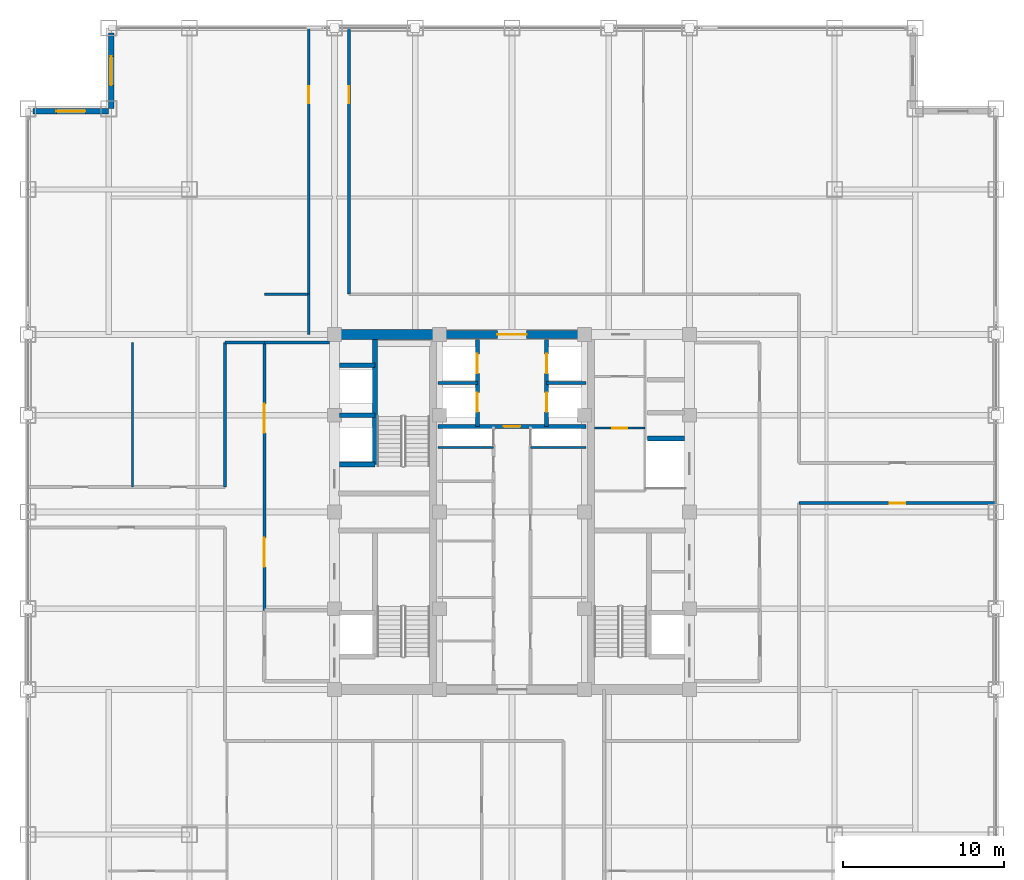
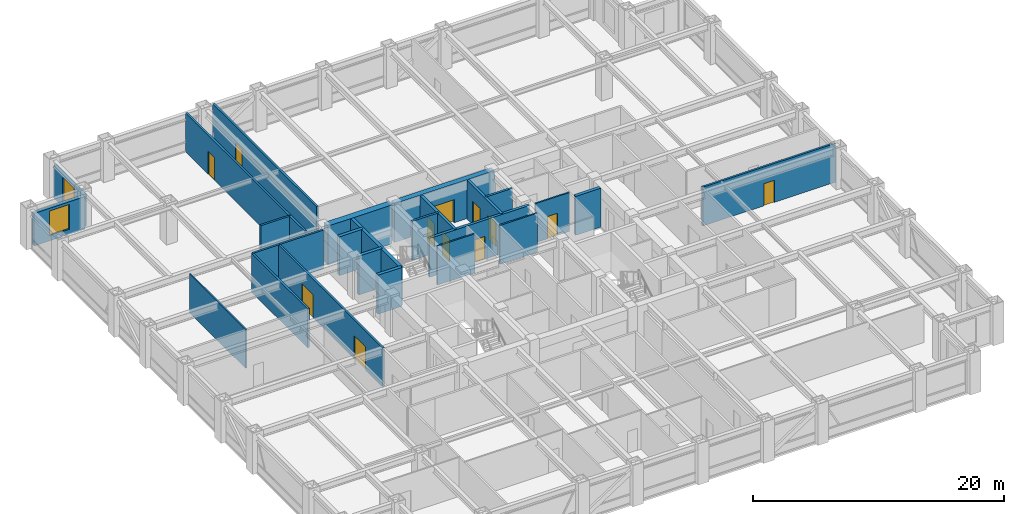
# One storey, part 22 of 24: 27 walls, 12 doors, 2 windows, 14 openings.
"""IFC4 building model written with IfcOpenShell, lengths in metres."""

import ifcopenshell
import ifcopenshell.guid

model = None  # the IFC model being written
_history = None  # IfcOwnerHistory: only IFC2X3 demands one
_inside = {}  # id of a spatial element -> (the spatial element, [elements in it])
_under = {}  # id of a project, library or spatial element -> (it, [spatial elements below it])
_declared = {}  # id of a project -> (the project, [libraries it declares])
_typed = {}  # id of a type object -> (the type object, [elements of that type])
_made_of = {}  # id of a material, layer set ... -> (it, [elements and type objects made of it])


def new_model(schema):
    """Start an empty IFC model of exactly this schema.

    Asked for "IFC4X3", IfcOpenShell would pick the latest addendum, in which some entities
    have other attributes; the version numbers below select the first issue.
    IFC2X3 requires an IfcOwnerHistory on every rooted entity: one is made here for all.
    """
    global model, _history
    if schema == "IFC4X3":
        model = ifcopenshell.file(schema_version=(4, 3, 0, 0))
    else:
        model = ifcopenshell.file(schema=schema)
    _inside.clear()
    _under.clear()
    _declared.clear()
    _typed.clear()
    _made_of.clear()
    _history = None
    if model.schema == "IFC2X3":
        org = make("IfcOrganization", Name="unknown")
        user = make(
            "IfcPersonAndOrganization",
            ThePerson=make("IfcPerson", FamilyName="unknown"),
            TheOrganization=org,
        )
        app = make(
            "IfcApplication",
            ApplicationDeveloper=org,
            Version="unknown",
            ApplicationFullName="unknown",
            ApplicationIdentifier="unknown",
        )
        _history = make(
            "IfcOwnerHistory",
            OwningUser=user,
            OwningApplication=app,
            ChangeAction="ADDED",
            CreationDate=0,
        )
    return model


def make(cls, **values):
    """One entity of the class cls with the attributes given. An attribute that is None is left unset."""
    return model.create_entity(
        cls, **{name: value for name, value in values.items() if value is not None}
    )


def rooted(cls, **values):
    """An entity with a GlobalId (a new one), such as an element, a storey or a relation."""
    return make(cls, GlobalId=ifcopenshell.guid.new(), OwnerHistory=_history, **values)


def si_unit(unit_type, name, prefix=None):
    """IfcSIUnit, for example si_unit("LENGTHUNIT", "METRE", prefix="MILLI")."""
    return make("IfcSIUnit", UnitType=unit_type, Prefix=prefix, Name=name)


def assignment(units):
    """IfcUnitAssignment: the units of a project."""
    return None if units is None else make("IfcUnitAssignment", Units=units)


def point(xyz):
    """IfcCartesianPoint."""
    return None if xyz is None else make("IfcCartesianPoint", Coordinates=xyz)


def direction(xyz):
    """IfcDirection."""
    return None if xyz is None else make("IfcDirection", DirectionRatios=xyz)


def frame(location, z_axis=None, x_axis=None):
    """IfcAxis2Placement3D, a coordinate frame: its origin and axes. An axis left out is left unset."""
    return make(
        "IfcAxis2Placement3D",
        Location=point(location),
        Axis=direction(z_axis),
        RefDirection=direction(x_axis),
    )


def frame_2d(location, x_axis=None):
    """IfcAxis2Placement2D, a coordinate frame in the plane: its origin and x axis."""
    return make(
        "IfcAxis2Placement2D", Location=point(location), RefDirection=direction(x_axis)
    )


def origin():
    """The frame at (0, 0, 0) with its axes left unset."""
    return frame((0.0, 0.0, 0.0))


def place(relative_to, where):
    """IfcLocalPlacement: puts the frame where relative to a parent placement (None: the world)."""
    return make(
        "IfcLocalPlacement", PlacementRelTo=relative_to, RelativePlacement=where
    )


def context(
    kind, dimensions, precision=None, world=None, true_north=None, identifier=None
):
    """IfcGeometricRepresentationContext, for example the 3D "Model" context."""
    return make(
        "IfcGeometricRepresentationContext",
        ContextIdentifier=identifier,
        ContextType=kind,
        CoordinateSpaceDimension=dimensions,
        Precision=precision,
        WorldCoordinateSystem=world,
        TrueNorth=true_north,
    )


def subcontext(parent, identifier, kind, view, scale=None):
    """IfcGeometricRepresentationSubContext, for example "Body" below "Model"."""
    return make(
        "IfcGeometricRepresentationSubContext",
        ContextIdentifier=identifier,
        ContextType=kind,
        ParentContext=parent,
        TargetScale=scale,
        TargetView=view,
    )


def project(units=None, contexts=None):
    """IfcProject with its units and contexts."""
    return rooted(
        "IfcProject",
        Name="project",
        RepresentationContexts=contexts,
        UnitsInContext=assignment(units),
    )


def spatial(cls, under=None, at=None, **own):
    """A site, building, storey or space (cls), placed at a placement, below another one or the project."""
    s = rooted(cls, ObjectPlacement=at, **own)
    if under is not None:
        _under.setdefault(under.id(), (under, []))[1].append(s)
    return s


def profile(cls, at=None, kind="AREA", **sizes):
    """A parametric profile (cls). Its sizes go by their IFC names, for example OverallWidth=200.0."""
    return make(cls, ProfileType=kind, Position=at, **sizes)


def rectangle(**sizes):
    """IfcRectangleProfileDef."""
    return profile("IfcRectangleProfileDef", **sizes)


def extrude(swept, where, along, depth):
    """IfcExtrudedAreaSolid: the profile swept, set in the frame where, extruded along a direction by depth."""
    return make(
        "IfcExtrudedAreaSolid",
        SweptArea=swept,
        Position=where,
        ExtrudedDirection=direction(along),
        Depth=depth,
    )


def shape(context_of_items, identifier, shape_type, items):
    """IfcShapeRepresentation: the items that make up one representation, for example the "Body"."""
    return make(
        "IfcShapeRepresentation",
        ContextOfItems=context_of_items,
        RepresentationIdentifier=identifier,
        RepresentationType=shape_type,
        Items=items,
    )


def source(mapping_origin, context_of_items, identifier, shape_type, items):
    """IfcRepresentationMap: a shape defined once, which mapped items show again and again."""
    return make(
        "IfcRepresentationMap",
        MappingOrigin=mapping_origin,
        MappedRepresentation=shape(context_of_items, identifier, shape_type, items),
    )


def transform(
    local_origin,
    x_axis=None,
    y_axis=None,
    z_axis=None,
    scale=None,
    scale2=None,
    scale3=None,
    uniform=True,
):
    """IfcCartesianTransformationOperator3D, or its non-uniform kind. x_axis, y_axis, z_axis: its Axis1, 2, 3."""
    if uniform:
        return make(
            "IfcCartesianTransformationOperator3D",
            Axis1=direction(x_axis),
            Axis2=direction(y_axis),
            LocalOrigin=point(local_origin),
            Scale=scale,
            Axis3=direction(z_axis),
        )
    return make(
        "IfcCartesianTransformationOperator3DnonUniform",
        Axis1=direction(x_axis),
        Axis2=direction(y_axis),
        LocalOrigin=point(local_origin),
        Scale=scale,
        Axis3=direction(z_axis),
        Scale2=scale2,
        Scale3=scale3,
    )


def mapped(mapping_source, mapping_target):
    """IfcMappedItem: shows the shape of a source again, moved by a transform."""
    return make(
        "IfcMappedItem", MappingSource=mapping_source, MappingTarget=mapping_target
    )


def material(Name=None, Category=None):
    """IfcMaterial."""
    return make("IfcMaterial", Name=Name, Category=Category)


def layer(
    of_material, thickness, ventilated=None, Name=None, Category=None, Priority=None
):
    """IfcMaterialLayer: one layer of a wall or slab, of a material (None: an air gap)."""
    return make(
        "IfcMaterialLayer",
        Material=of_material,
        LayerThickness=thickness,
        IsVentilated=ventilated,
        Name=Name,
        Category=Category,
        Priority=Priority,
    )


def layer_set(layers, Name=None):
    """IfcMaterialLayerSet."""
    return make("IfcMaterialLayerSet", MaterialLayers=layers, LayerSetName=Name)


def made_of(thing, what):
    """Note that an element or type object is made of a material, layer set ...; save() writes the relation."""
    if what is not None:
        _made_of.setdefault(what.id(), (what, []))[1].append(thing)
    return thing


def type_object(cls, material=None, **own):
    """A type object (cls), such as IfcWallType, which elements share."""
    return made_of(rooted(cls, **own), material)


def element(
    cls,
    number,
    at=None,
    inside=None,
    cuts=None,
    type_object=None,
    material=None,
    context=None,
    identifier="Body",
    shape_type=None,
    held_by="IfcProductDefinitionShape",
    body=None,
    shapes=None,
    **own,
):
    """One element of the class cls, such as IfcWall. Its Tag is "e" and its number.

    at: its placement. inside: the storey or other place that contains it. cuts: it is an
    opening in that element (IfcRelVoidsElement). A single representation is given by context,
    identifier, shape_type and body (its items); several are given by shapes. held_by: the class
    of the entity that holds the representations. save() writes the other relations.
    """
    e = rooted(cls, Tag="e%d" % number, ObjectPlacement=at, **own)
    if body is not None:
        shapes = [shape(context, identifier, shape_type, body)]
    if shapes is not None:
        e.Representation = make(held_by, Representations=shapes)
    if inside is not None:
        _inside.setdefault(inside.id(), (inside, []))[1].append(e)
    if cuts is not None:
        rooted(
            "IfcRelVoidsElement", RelatingBuildingElement=cuts, RelatedOpeningElement=e
        )
    if type_object is not None:
        _typed.setdefault(type_object.id(), (type_object, []))[1].append(e)
    return made_of(e, material)


def fill(opening, filler):
    """IfcRelFillsElement: the door or window that sits in an opening."""
    return rooted(
        "IfcRelFillsElement",
        RelatingOpeningElement=opening,
        RelatedBuildingElement=filler,
    )


def aggregate(whole, parts):
    """IfcRelAggregates: a whole, such as a stair, and the parts it consists of."""
    return rooted("IfcRelAggregates", RelatingObject=whole, RelatedObjects=parts)


def save(model, path):
    """Write the relations noted so far, then the file.

    IfcRelAggregates (storeys below a building ...), IfcRelContainedInSpatialStructure (elements
    in a storey), IfcRelDefinesByType, IfcRelAssociatesMaterial and IfcRelDeclares: one each for
    every whole, place, type object, material and project.
    """
    for whole, parts in _under.values():
        aggregate(whole, parts)
    for where, things in _inside.values():
        rooted(
            "IfcRelContainedInSpatialStructure",
            RelatedElements=things,
            RelatingStructure=where,
        )
    for kind, things in _typed.values():
        rooted("IfcRelDefinesByType", RelatedObjects=things, RelatingType=kind)
    for what, things in _made_of.values():
        rooted("IfcRelAssociatesMaterial", RelatedObjects=things, RelatingMaterial=what)
    for by, libraries in _declared.values():
        rooted("IfcRelDeclares", RelatingContext=by, RelatedDefinitions=libraries)
    model.write(path)


model = new_model("IFC4")

# Units and contexts
model_context = context("Model", 3, precision=1e-05, world=origin(), true_north=direction((0.0, 1.0)))
body_context = subcontext(model_context, "Body", "Model", "MODEL_VIEW")
ifc_project = project(units=[si_unit("LENGTHUNIT", "METRE"), si_unit("AREAUNIT", "SQUARE_METRE"), si_unit("VOLUMEUNIT", "CUBIC_METRE"), si_unit("PLANEANGLEUNIT", "RADIAN"), si_unit("MASSUNIT", "GRAM", prefix="KILO")], contexts=[model_context])

# Site, building, storey
site_placement = place(None, origin())
site = spatial("IfcSite", under=ifc_project, at=site_placement, CompositionType="ELEMENT")
building_placement = place(site_placement, origin())
building = spatial("IfcBuilding", under=site, at=building_placement, Name="Khorayat Bourse Tower", CompositionType="ELEMENT")
storey_placement = place(building_placement, frame((0.0, 0.0, 211.10009765625)))
storey = spatial("IfcBuildingStorey", under=building, at=storey_placement, Name="L49", CompositionType="ELEMENT", Elevation=211.10009765625)

# Wall, opening, door
ifc_material_1 = material(Name="Concrete C52/65", Category="concrete")
ifc_layer_1 = layer(ifc_material_1, 0.5)
ifc_layer_set_1 = layer_set([ifc_layer_1], Name="Concrete C52/65")
wall_type_1 = type_object("IfcWallType", Name="WAL-CORE-500", PredefinedType="SHEAR", material=ifc_layer_set_1)
shared_shape_1 = source(origin(), body_context, "Body", "SweptSolid", [
    extrude(rectangle(XDim=9.2001953125, YDim=0.5, at=frame_2d((4.60009765625, 0.0))), origin(), (0.0, 0.0, 1.0), 3.77978515625),
])
wall_1_placement = place(storey_placement, frame((-4.60009765625, 11.0, 0.0), z_axis=(0.0, 0.0, 1.0), x_axis=(1.0, 0.0, 0.0)))
wall_1 = element("IfcWall", 1, at=wall_1_placement, inside=storey, type_object=wall_type_1, Name="L49 Core Shear Wall CORE-N", PredefinedType="SHEAR", context=body_context, shape_type="MappedRepresentation", body=[
    mapped(shared_shape_1, transform((0.0, 0.0, 0.0), scale=1.0)),
])
shared_shape_2 = source(origin(), body_context, "Body", "SweptSolid", [
    extrude(rectangle(XDim=1.800048828125, YDim=2.25, at=frame_2d((0.89990234375, 1.125))), frame((0.0, 0.260009765625, 0.0), z_axis=(0.0, -1.0, 0.0), x_axis=(1.0, 0.0, 0.0)), (0.0, 0.0, 1.0), 0.52001953125),
])
opening_1_placement = place(wall_1_placement, frame((3.699951171875, 0.0, 0.0)))
opening_1 = element("IfcOpeningElement", 2, at=opening_1_placement, cuts=wall_1, Name="Opening DI-03", PredefinedType="OPENING", context=body_context, shape_type="MappedRepresentation", body=[
    mapped(shared_shape_2, transform((0.0, 0.0, 0.0), scale=1.0)),
])
ifc_material_2 = material(Name="Fire-rated hardwood vision-panel double leaf", Category="wood")
door_type_1 = type_object("IfcDoorType", Name="DR-INT-CORR-1800", OperationType="NOTDEFINED", PredefinedType="DOOR", material=ifc_material_2)
shared_shape_3 = source(origin(), body_context, "Body", "SweptSolid", [
    extrude(rectangle(XDim=1.800048828125, YDim=2.25, at=frame_2d((0.89990234375, 1.125))), frame((0.0, 0.02490234375, 0.0), z_axis=(0.0, -1.0, 0.0), x_axis=(1.0, 0.0, 0.0)), (0.0, 0.0, 1.0), 0.050048828125),
])
door_1_placement = place(opening_1_placement, origin())
door_1 = element("IfcDoor", 3, at=door_1_placement, inside=storey, type_object=door_type_1, Name="L49 Mid-Rise Lift Lobby Door", OperationType="SINGLE_SWING_RIGHT", OverallHeight=2.25, OverallWidth=1.800048828125, PredefinedType="DOOR", context=body_context, shape_type="MappedRepresentation", body=[
    mapped(shared_shape_3, transform((0.0, 0.0, 0.0), scale=1.0)),
])
fill(opening_1, door_1)

# Wall
ifc_material_3 = material(Name="Concrete C60/75", Category="concrete")
ifc_layer_2 = layer(ifc_material_3, 0.60009765625)
ifc_layer_set_2 = layer_set([ifc_layer_2], Name="Concrete C60/75")
wall_type_2 = type_object("IfcWallType", Name="WAL-CORE-600", PredefinedType="SHEAR", material=ifc_layer_set_2)
shared_shape_4 = source(origin(), body_context, "Body", "SweptSolid", [
    extrude(rectangle(XDim=5.89990234375, YDim=0.60009765625, at=frame_2d((2.949951171875, 0.0))), origin(), (0.0, 0.0, 1.0), 3.77978515625),
])
wall_2_placement = place(storey_placement, frame((-10.75, 11.0, 0.0), z_axis=(0.0, 0.0, 1.0), x_axis=(1.0, 0.0, 0.0)))
element("IfcWall", 4, at=wall_2_placement, inside=storey, type_object=wall_type_2, Name="L49 Core Shear Wall PIER-WN", PredefinedType="SHEAR", context=body_context, shape_type="MappedRepresentation", body=[
    mapped(shared_shape_4, transform((0.0, 0.0, 0.0), scale=1.0)),
])

# Wall, opening, window
ifc_material_4 = material(Name="Precast concrete C45/55", Category="concrete")
ifc_layer_3 = layer(ifc_material_4, 0.320068359375)
ifc_layer_set_3 = layer_set([ifc_layer_3], Name="Precast concrete C45/55")
wall_type_3 = type_object("IfcWallType", Name="WAL-EXT-STONE-320", PredefinedType="STANDARD", material=ifc_layer_set_3)
shared_shape_5 = source(origin(), body_context, "Body", "SweptSolid", [
    extrude(rectangle(XDim=4.679931640625, YDim=0.320068359375, at=frame_2d((2.33984375, 0.0))), origin(), (0.0, 0.0, 1.0), 3.163818359375),
])
wall_3_placement = place(storey_placement, frame((-24.840087890625, 25.0, 0.0), z_axis=(0.0, 0.0, 1.0), x_axis=(0.0, 1.0, 0.0)))
wall_3 = element("IfcWall", 5, at=wall_3_placement, inside=storey, type_object=wall_type_3, Name="L49 Re-Entrant Notch Limestone Wall NW-V", PredefinedType="STANDARD", context=body_context, shape_type="MappedRepresentation", body=[
    mapped(shared_shape_5, transform((0.0, 0.0, 0.0), scale=1.0)),
])
shared_shape_6 = source(origin(), body_context, "Body", "SweptSolid", [
    extrude(rectangle(XDim=1.800048828125, YDim=2.39990234375, at=frame_2d((0.89990234375, 1.199951171875))), frame((0.0, 0.169921875, 0.0), z_axis=(0.0, -1.0, 0.0), x_axis=(1.0, 0.0, 0.0)), (0.0, 0.0, 1.0), 0.340087890625),
])
opening_2_placement = place(wall_3_placement, frame((1.43994140625, 0.0, 0.5)))
opening_2 = element("IfcOpeningElement", 6, at=opening_2_placement, cuts=wall_3, Name="Opening WN-04", PredefinedType="OPENING", context=body_context, shape_type="MappedRepresentation", body=[
    mapped(shared_shape_6, transform((0.0, 0.0, 0.0), scale=1.0)),
])
ifc_material_5 = material(Name="Low-E acoustic laminated double glazing", Category="glass")
window_type = type_object("IfcWindowType", Name="WIN-NOTCH-1800x2400", PartitioningType="SINGLE_PANEL", PredefinedType="WINDOW", material=ifc_material_5)
shared_shape_7 = source(origin(), body_context, "Body", "SweptSolid", [
    extrude(rectangle(XDim=1.800048828125, YDim=2.39990234375, at=frame_2d((0.89990234375, 1.199951171875))), frame((0.0, 0.030029296875, 0.0), z_axis=(0.0, -1.0, 0.0), x_axis=(1.0, 0.0, 0.0)), (0.0, 0.0, 1.0), 0.06005859375),
])
window_1_placement = place(opening_2_placement, origin())
window_1 = element("IfcWindow", 7, at=window_1_placement, inside=storey, type_object=window_type, Name="L49 Facade Window 1", OverallHeight=2.39990234375, OverallWidth=1.800048828125, PartitioningType="SINGLE_PANEL", PredefinedType="WINDOW", context=body_context, shape_type="MappedRepresentation", body=[
    mapped(shared_shape_7, transform((0.0, 0.0, 0.0), scale=1.0)),
])
fill(opening_2, window_1)

wall_4_placement = place(storey_placement, frame((-25.0, 24.840087890625, 0.0), z_axis=(0.0, 0.0, 1.0), x_axis=(-1.0, 0.0, 0.0)))
wall_4 = element("IfcWall", 8, at=wall_4_placement, inside=storey, type_object=wall_type_3, Name="L49 Re-Entrant Notch Limestone Wall NW-H", PredefinedType="STANDARD", context=body_context, shape_type="MappedRepresentation", body=[
    mapped(shared_shape_5, transform((0.0, 0.0, 0.0), scale=1.0)),
])
opening_3_placement = place(wall_4_placement, frame((1.43994140625, 0.0, 0.5)))
opening_3 = element("IfcOpeningElement", 9, at=opening_3_placement, cuts=wall_4, Name="Opening WN-04", PredefinedType="OPENING", context=body_context, shape_type="MappedRepresentation", body=[
    mapped(shared_shape_6, transform((0.0, 0.0, 0.0), scale=1.0)),
])
window_2_placement = place(opening_3_placement, origin())
window_2 = element("IfcWindow", 10, at=window_2_placement, inside=storey, type_object=window_type, Name="L49 Facade Window 1", OverallHeight=2.39990234375, OverallWidth=1.800048828125, PartitioningType="SINGLE_PANEL", PredefinedType="WINDOW", context=body_context, shape_type="MappedRepresentation", body=[
    mapped(shared_shape_7, transform((0.0, 0.0, 0.0), scale=1.0)),
])
fill(opening_3, window_2)

# Walls
ifc_material_6 = material(Name="Concrete C50/60", Category="concrete")
ifc_layer_4 = layer(ifc_material_6, 0.300048828125)
ifc_layer_set_4 = layer_set([ifc_layer_4], Name="Concrete C50/60")
wall_type_4 = type_object("IfcWallType", Name="WAL-SHAFT-300", PredefinedType="SHEAR", material=ifc_layer_set_4)
shared_shape_8 = source(origin(), body_context, "Body", "SweptSolid", [
    extrude(rectangle(XDim=2.199951171875, YDim=0.300048828125, at=frame_2d((1.10009765625, 0.0))), origin(), (0.0, 0.0, 1.0), 3.77978515625),
])
for number, where, z_axis, x_axis, name in (
    (11, (-10.699951171875, 2.949951171875, 0.0), (0.0, 0.0, 1.0), (1.0, 0.0, 0.0), "L49 Partition WAL-L49-WPIER-H1S"),
    (12, (-10.699951171875, 6.0, 0.0), (0.0, 0.0, 1.0), (1.0, 0.0, 0.0), "L49 Partition WAL-L49-WPIER-H12"),
    (13, (-10.699951171875, 9.10009765625, 0.0), (0.0, 0.0, 1.0), (1.0, 0.0, 0.0), "L49 Partition WAL-L49-WPIER-H2N"),
):
    element("IfcWall", number, at=place(storey_placement, frame(where, z_axis=z_axis, x_axis=x_axis)), inside=storey, type_object=wall_type_4, Name=name, PredefinedType="SHEAR", context=body_context, shape_type="MappedRepresentation", body=[
        mapped(shared_shape_8, transform((0.0, 0.0, 0.0), scale=1.0)),
    ])
shared_shape_9 = source(origin(), body_context, "Body", "SweptSolid", [
    extrude(rectangle(XDim=7.75, YDim=0.300048828125, at=frame_2d((3.875, 0.0))), origin(), (0.0, 0.0, 1.0), 3.77978515625),
])
wall_5_placement = place(storey_placement, frame((-8.5, 2.949951171875, 0.0), z_axis=(0.0, 0.0, 1.0), x_axis=(0.0, 1.0, 0.0)))
element("IfcWall", 14, at=wall_5_placement, inside=storey, type_object=wall_type_4, Name="L49 Partition WAL-L49-WPIER-ST2S", PredefinedType="SHEAR", context=body_context, shape_type="MappedRepresentation", body=[
    mapped(shared_shape_9, transform((0.0, 0.0, 0.0), scale=1.0)),
])
shared_shape_10 = source(origin(), body_context, "Body", "SweptSolid", [
    extrude(rectangle(XDim=2.300048828125, YDim=0.300048828125, at=frame_2d((1.14990234375, 0.0))), origin(), (0.0, 0.0, 1.0), 3.77978515625),
])
wall_6_placement = place(storey_placement, frame((8.39990234375, 4.550048828125, 0.0), z_axis=(0.0, 0.0, 1.0), x_axis=(1.0, 0.0, 0.0)))
element("IfcWall", 15, at=wall_6_placement, inside=storey, type_object=wall_type_4, Name="L49 Partition WAL-L49-EPIER-SVLN", PredefinedType="SHEAR", context=body_context, shape_type="MappedRepresentation", body=[
    mapped(shared_shape_10, transform((0.0, 0.0, 0.0), scale=1.0)),
])

# Wall, opening, door
ifc_material_7 = material(Name="Moisture-resistant masonry partition", Category="masonry")
ifc_layer_5 = layer(ifc_material_7, 0.139892578125)
ifc_layer_set_5 = layer_set([ifc_layer_5], Name="Moisture-resistant masonry partition")
wall_type_5 = type_object("IfcWallType", Name="WAL-PART-WET-140", PredefinedType="PARTITIONING", material=ifc_layer_set_5)
shared_shape_11 = source(origin(), body_context, "Body", "SweptSolid", [
    extrude(rectangle(XDim=3.14990234375, YDim=0.139892578125, at=frame_2d((1.574951171875, 0.0))), origin(), (0.0, 0.0, 1.0), 3.77978515625),
])
wall_7_placement = place(storey_placement, frame((5.10009765625, 5.199951171875, 0.0), z_axis=(0.0, 0.0, 1.0), x_axis=(1.0, 0.0, 0.0)))
wall_7 = element("IfcWall", 16, at=wall_7_placement, inside=storey, type_object=wall_type_5, Name="L49 Partition WAL-L49-ECW-HZ", PredefinedType="PARTITIONING", context=body_context, shape_type="MappedRepresentation", body=[
    mapped(shared_shape_11, transform((0.0, 0.0, 0.0), scale=1.0)),
])
shared_shape_12 = source(origin(), body_context, "Body", "SweptSolid", [
    extrude(rectangle(XDim=0.89990234375, YDim=2.14990234375, at=frame_2d((0.449951171875, 1.074951171875))), frame((0.0, 0.079833984375, 0.0), z_axis=(0.0, -1.0, 0.0), x_axis=(1.0, 0.0, 0.0)), (0.0, 0.0, 1.0), 0.159912109375),
])
opening_4_placement = place(wall_7_placement, frame((1.1298828125, 0.0, 0.0)))
opening_4 = element("IfcOpeningElement", 17, at=opening_4_placement, cuts=wall_7, Name="Opening DI-06", PredefinedType="OPENING", context=body_context, shape_type="MappedRepresentation", body=[
    mapped(shared_shape_12, transform((0.0, 0.0, 0.0), scale=1.0)),
])
ifc_material_8 = material(Name="Moisture-resistant laminate washroom door")
door_type_2 = type_object("IfcDoorType", Name="DR-INT-WC-900", OperationType="NOTDEFINED", PredefinedType="DOOR", material=ifc_material_8)
shared_shape_13 = source(origin(), body_context, "Body", "SweptSolid", [
    extrude(rectangle(XDim=0.89990234375, YDim=2.14990234375, at=frame_2d((0.449951171875, 1.074951171875))), frame((0.0, 0.02490234375, 0.0), z_axis=(0.0, -1.0, 0.0), x_axis=(1.0, 0.0, 0.0)), (0.0, 0.0, 1.0), 0.050048828125),
])
door_2_placement = place(opening_4_placement, origin())
door_2 = element("IfcDoor", 18, at=door_2_placement, inside=storey, type_object=door_type_2, Name="L49 Shared Washroom Door", OperationType="SINGLE_SWING_RIGHT", OverallHeight=2.14990234375, OverallWidth=0.89990234375, PredefinedType="DOOR", context=body_context, shape_type="MappedRepresentation", body=[
    mapped(shared_shape_13, transform((0.0, 0.0, 0.0), scale=1.0)),
])
fill(opening_4, door_2)

# Wall
ifc_material_9 = material(Name="Gypsum plasterboard acoustic stud wall")
ifc_layer_6 = layer(ifc_material_9, 0.179931640625)
ifc_layer_set_6 = layer_set([ifc_layer_6], Name="Gypsum plasterboard acoustic stud wall")
wall_type_6 = type_object("IfcWallType", Name="WAL-PART-CORR-180", PredefinedType="PARTITIONING", material=ifc_layer_set_6)
shared_shape_14 = source(origin(), body_context, "Body", "SweptSolid", [
    extrude(rectangle(XDim=4.050048828125, YDim=0.179931640625, at=frame_2d((2.02490234375, 0.0))), origin(), (0.0, 0.0, 1.0), 3.77978515625),
])
wall_8_placement = place(storey_placement, frame((-15.35009765625, 10.5, 0.0), z_axis=(0.0, 0.0, 1.0), x_axis=(1.0, 0.0, 0.0)))
element("IfcWall", 19, at=wall_8_placement, inside=storey, type_object=wall_type_6, Name="L49 Partition WAL-L49-WLOB-N", PredefinedType="PARTITIONING", context=body_context, shape_type="MappedRepresentation", body=[
    mapped(shared_shape_14, transform((0.0, 0.0, 0.0), scale=1.0)),
])

# Wall, openings, doors
shared_shape_15 = source(origin(), body_context, "Body", "SweptSolid", [
    extrude(rectangle(XDim=16.60009765625, YDim=0.179931640625, at=frame_2d((8.300048828125, 0.0))), origin(), (0.0, 0.0, 1.0), 3.77978515625),
])
wall_9_placement = place(storey_placement, frame((-15.35009765625, -6.10009765625, 0.0), z_axis=(0.0, 0.0, 1.0), x_axis=(0.0, 1.0, 0.0)))
wall_9 = element("IfcWall", 20, at=wall_9_placement, inside=storey, type_object=wall_type_6, Name="L49 Partition WAL-L49-WLOB-W", PredefinedType="PARTITIONING", context=body_context, shape_type="MappedRepresentation", body=[
    mapped(shared_shape_15, transform((0.0, 0.0, 0.0), scale=1.0)),
])
shared_shape_16 = source(origin(), body_context, "Body", "SweptSolid", [
    extrude(rectangle(XDim=1.800048828125, YDim=2.25, at=frame_2d((0.89990234375, 1.125))), frame((0.0, 0.099853515625, 0.0), z_axis=(0.0, -1.0, 0.0), x_axis=(1.0, 0.0, 0.0)), (0.0, 0.0, 1.0), 0.199951171875),
])
opening_5_placement = place(wall_9_placement, frame((2.699951171875, 0.0, 0.0)))
opening_5 = element("IfcOpeningElement", 21, at=opening_5_placement, cuts=wall_9, Name="Opening DI-03", PredefinedType="OPENING", context=body_context, shape_type="MappedRepresentation", body=[
    mapped(shared_shape_16, transform((0.0, 0.0, 0.0), scale=1.0)),
])
opening_6_placement = place(wall_9_placement, frame((11.0, 0.0, 0.0)))
opening_6 = element("IfcOpeningElement", 22, at=opening_6_placement, cuts=wall_9, Name="Opening DI-03", PredefinedType="OPENING", context=body_context, shape_type="MappedRepresentation", body=[
    mapped(shared_shape_16, transform((0.0, 0.0, 0.0), scale=1.0)),
])
door_3_placement = place(opening_5_placement, origin())
door_3 = element("IfcDoor", 23, at=door_3_placement, inside=storey, type_object=door_type_1, Name="L49 West Core Lobby South Door", OperationType="SINGLE_SWING_LEFT", OverallHeight=2.25, OverallWidth=1.800048828125, PredefinedType="DOOR", context=body_context, shape_type="MappedRepresentation", body=[
    mapped(shared_shape_3, transform((0.0, 0.0, 0.0), scale=1.0)),
])
fill(opening_5, door_3)
door_4_placement = place(opening_6_placement, origin())
door_4 = element("IfcDoor", 24, at=door_4_placement, inside=storey, type_object=door_type_1, Name="L49 West Core Lobby North Door", OperationType="SINGLE_SWING_RIGHT", OverallHeight=2.25, OverallWidth=1.800048828125, PredefinedType="DOOR", context=body_context, shape_type="MappedRepresentation", body=[
    mapped(shared_shape_3, transform((0.0, 0.0, 0.0), scale=1.0)),
])
fill(opening_6, door_4)

# Walls
ifc_material_10 = material(Name="Gypsum plasterboard twin-frame partition")
ifc_layer_7 = layer(ifc_material_10, 0.14990234375)
ifc_layer_set_7 = layer_set([ifc_layer_7], Name="Gypsum plasterboard twin-frame partition")
wall_type_7 = type_object("IfcWallType", Name="WAL-PART-SUITE-150", PredefinedType="PARTITIONING", material=ifc_layer_set_7)
shared_shape_17 = source(origin(), body_context, "Body", "SweptSolid", [
    extrude(rectangle(XDim=3.4501953125, YDim=0.14990234375, at=frame_2d((1.72509765625, 0.0))), origin(), (0.0, 0.0, 1.0), 3.77978515625),
])
for number, where, z_axis, x_axis, name in (
    (25, (-4.60009765625, 4.0, 0.0), (0.0, 0.0, 1.0), (1.0, 0.0, 0.0), "L49 Partition WAL-L49-CRSW-S"),
    (26, (1.14990234375, 4.0, 0.0), (0.0, 0.0, 1.0), (1.0, 0.0, 0.0), "L49 Partition WAL-L49-CRSE-S"),
):
    element("IfcWall", number, at=place(storey_placement, frame(where, z_axis=z_axis, x_axis=x_axis)), inside=storey, type_object=wall_type_7, Name=name, PredefinedType="PARTITIONING", context=body_context, shape_type="MappedRepresentation", body=[
        mapped(shared_shape_17, transform((0.0, 0.0, 0.0), scale=1.0)),
    ])

# Wall, openings, doors
shared_shape_18 = source(origin(), body_context, "Body", "SweptSolid", [
    extrude(rectangle(XDim=5.39990234375, YDim=0.25, at=frame_2d((2.699951171875, 0.0))), origin(), (0.0, 0.0, 1.0), 3.77978515625),
])
wall_10_placement = place(storey_placement, frame((-2.14990234375, 5.300048828125, 0.0), z_axis=(0.0, 0.0, 1.0), x_axis=(0.0, 1.0, 0.0)))
wall_10 = element("IfcWall", 27, at=wall_10_placement, inside=storey, type_object=wall_type_4, Name="L49 Partition WAL-L49-B2-W", PredefinedType="SHEAR", context=body_context, shape_type="MappedRepresentation", body=[
    mapped(shared_shape_18, transform((0.0, 0.0, 0.0), scale=1.0)),
])
shared_shape_19 = source(origin(), body_context, "Body", "SweptSolid", [
    extrude(rectangle(XDim=1.199951171875, YDim=2.300048828125, at=frame_2d((0.60009765625, 1.14990234375))), frame((0.0, 0.135009765625, 0.0), z_axis=(0.0, -1.0, 0.0), x_axis=(1.0, 0.0, 0.0)), (0.0, 0.0, 1.0), 0.27001953125),
])
opening_7_placement = place(wall_10_placement, frame((3.300048828125, 0.0, 0.0)))
opening_7 = element("IfcOpeningElement", 28, at=opening_7_placement, cuts=wall_10, Name="Opening LD-01", PredefinedType="OPENING", context=body_context, shape_type="MappedRepresentation", body=[
    mapped(shared_shape_19, transform((0.0, 0.0, 0.0), scale=1.0)),
])
opening_8_placement = place(wall_10_placement, frame((0.89990234375, 0.0, 0.0)))
opening_8 = element("IfcOpeningElement", 29, at=opening_8_placement, cuts=wall_10, Name="Opening LD-01", PredefinedType="OPENING", context=body_context, shape_type="MappedRepresentation", body=[
    mapped(shared_shape_19, transform((0.0, 0.0, 0.0), scale=1.0)),
])
ifc_material_11 = material(Name="Brushed bronze stainless-steel sliding door", Category="steel")
door_type_3 = type_object("IfcDoorType", Name="DR-LIFT-PASS-1200", OperationType="NOTDEFINED", PredefinedType="DOOR", material=ifc_material_11)
shared_shape_20 = source(origin(), body_context, "Body", "SweptSolid", [
    extrude(rectangle(XDim=1.199951171875, YDim=2.300048828125, at=frame_2d((0.60009765625, 1.14990234375))), frame((0.0, 0.02490234375, 0.0), z_axis=(0.0, -1.0, 0.0), x_axis=(1.0, 0.0, 0.0)), (0.0, 0.0, 1.0), 0.050048828125),
])
door_5_placement = place(opening_7_placement, origin())
door_5 = element("IfcDoor", 30, at=door_5_placement, inside=storey, type_object=door_type_3, Name="L49 Lift PL-M1 Sliding Landing Door", OperationType="SLIDING_TO_LEFT", OverallHeight=2.300048828125, OverallWidth=1.199951171875, PredefinedType="DOOR", context=body_context, shape_type="MappedRepresentation", body=[
    mapped(shared_shape_20, transform((0.0, 0.0, 0.0), scale=1.0)),
])
fill(opening_7, door_5)
door_6_placement = place(opening_8_placement, origin())
door_6 = element("IfcDoor", 31, at=door_6_placement, inside=storey, type_object=door_type_3, Name="L49 Lift PL-M3 Sliding Landing Door", OperationType="SLIDING_TO_LEFT", OverallHeight=2.300048828125, OverallWidth=1.199951171875, PredefinedType="DOOR", context=body_context, shape_type="MappedRepresentation", body=[
    mapped(shared_shape_20, transform((0.0, 0.0, 0.0), scale=1.0)),
])
fill(opening_8, door_6)

wall_11_placement = place(storey_placement, frame((2.14990234375, 5.300048828125, 0.0), z_axis=(0.0, 0.0, 1.0), x_axis=(0.0, 1.0, 0.0)))
wall_11 = element("IfcWall", 32, at=wall_11_placement, inside=storey, type_object=wall_type_4, Name="L49 Partition WAL-L49-B2-E", PredefinedType="SHEAR", context=body_context, shape_type="MappedRepresentation", body=[
    mapped(shared_shape_18, transform((0.0, 0.0, 0.0), scale=1.0)),
])
opening_9_placement = place(wall_11_placement, frame((3.300048828125, 0.0, 0.0)))
opening_9 = element("IfcOpeningElement", 33, at=opening_9_placement, cuts=wall_11, Name="Opening LD-01", PredefinedType="OPENING", context=body_context, shape_type="MappedRepresentation", body=[
    mapped(shared_shape_19, transform((0.0, 0.0, 0.0), scale=1.0)),
])
opening_10_placement = place(wall_11_placement, frame((0.89990234375, 0.0, 0.0)))
opening_10 = element("IfcOpeningElement", 34, at=opening_10_placement, cuts=wall_11, Name="Opening LD-01", PredefinedType="OPENING", context=body_context, shape_type="MappedRepresentation", body=[
    mapped(shared_shape_19, transform((0.0, 0.0, 0.0), scale=1.0)),
])
door_7_placement = place(opening_9_placement, origin())
door_7 = element("IfcDoor", 35, at=door_7_placement, inside=storey, type_object=door_type_3, Name="L49 Lift PL-M2 Sliding Landing Door", OperationType="SLIDING_TO_LEFT", OverallHeight=2.300048828125, OverallWidth=1.199951171875, PredefinedType="DOOR", context=body_context, shape_type="MappedRepresentation", body=[
    mapped(shared_shape_20, transform((0.0, 0.0, 0.0), scale=1.0)),
])
fill(opening_9, door_7)
door_8_placement = place(opening_10_placement, origin())
door_8 = element("IfcDoor", 36, at=door_8_placement, inside=storey, type_object=door_type_3, Name="L49 Lift PL-M4 Sliding Landing Door", OperationType="SLIDING_TO_LEFT", OverallHeight=2.300048828125, OverallWidth=1.199951171875, PredefinedType="DOOR", context=body_context, shape_type="MappedRepresentation", body=[
    mapped(shared_shape_20, transform((0.0, 0.0, 0.0), scale=1.0)),
])
fill(opening_10, door_8)

# Walls
shared_shape_21 = source(origin(), body_context, "Body", "SweptSolid", [
    extrude(rectangle(XDim=2.4501953125, YDim=0.199951171875, at=frame_2d((1.22509765625, 0.0))), origin(), (0.0, 0.0, 1.0), 3.77978515625),
])
for number, where, z_axis, x_axis, name in (
    (37, (-4.60009765625, 8.0, 0.0), (0.0, 0.0, 1.0), (1.0, 0.0, 0.0), "L49 Partition WAL-L49-B2-MW"),
    (38, (2.14990234375, 8.0, 0.0), (0.0, 0.0, 1.0), (1.0, 0.0, 0.0), "L49 Partition WAL-L49-B2-ME"),
):
    element("IfcWall", number, at=place(storey_placement, frame(where, z_axis=z_axis, x_axis=x_axis)), inside=storey, type_object=wall_type_4, Name=name, PredefinedType="SHEAR", context=body_context, shape_type="MappedRepresentation", body=[
        mapped(shared_shape_21, transform((0.0, 0.0, 0.0), scale=1.0)),
    ])

# Wall, opening, door
shared_shape_22 = source(origin(), body_context, "Body", "SweptSolid", [
    extrude(rectangle(XDim=9.2001953125, YDim=0.25, at=frame_2d((4.60009765625, 0.0))), origin(), (0.0, 0.0, 1.0), 3.77978515625),
])
wall_12_placement = place(storey_placement, frame((-4.60009765625, 5.300048828125, 0.0), z_axis=(0.0, 0.0, 1.0), x_axis=(1.0, 0.0, 0.0)))
wall_12 = element("IfcWall", 39, at=wall_12_placement, inside=storey, type_object=wall_type_4, Name="L49 Partition WAL-L49-B2-S", PredefinedType="SHEAR", context=body_context, shape_type="MappedRepresentation", body=[
    mapped(shared_shape_22, transform((0.0, 0.0, 0.0), scale=1.0)),
])
shared_shape_23 = source(origin(), body_context, "Body", "SweptSolid", [
    extrude(rectangle(XDim=1.050048828125, YDim=2.199951171875, at=frame_2d((0.52490234375, 1.10009765625))), frame((0.0, 0.135009765625, 0.0), z_axis=(0.0, -1.0, 0.0), x_axis=(1.0, 0.0, 0.0)), (0.0, 0.0, 1.0), 0.27001953125),
])
opening_11_placement = place(wall_12_placement, frame((4.074951171875, 0.0, 0.0)))
opening_11 = element("IfcOpeningElement", 40, at=opening_11_placement, cuts=wall_12, Name="Opening DI-04", PredefinedType="OPENING", context=body_context, shape_type="MappedRepresentation", body=[
    mapped(shared_shape_23, transform((0.0, 0.0, 0.0), scale=1.0)),
])
ifc_material_12 = material(Name="Fire-rated oak veneer suite entrance door")
door_type_4 = type_object("IfcDoorType", Name="DR-INT-SUITE-1050", OperationType="NOTDEFINED", PredefinedType="DOOR", material=ifc_material_12)
shared_shape_24 = source(origin(), body_context, "Body", "SweptSolid", [
    extrude(rectangle(XDim=1.050048828125, YDim=2.199951171875, at=frame_2d((0.52490234375, 1.10009765625))), frame((0.0, 0.02490234375, 0.0), z_axis=(0.0, -1.0, 0.0), x_axis=(1.0, 0.0, 0.0)), (0.0, 0.0, 1.0), 0.050048828125),
])
door_9_placement = place(opening_11_placement, origin())
door_9 = element("IfcDoor", 41, at=door_9_placement, inside=storey, type_object=door_type_4, Name="L49 Core Spine North Door", OperationType="SINGLE_SWING_RIGHT", OverallHeight=2.199951171875, OverallWidth=1.050048828125, PredefinedType="DOOR", context=body_context, shape_type="MappedRepresentation", body=[
    mapped(shared_shape_24, transform((0.0, 0.0, 0.0), scale=1.0)),
])
fill(opening_11, door_9)

# Walls
shared_shape_25 = source(origin(), body_context, "Body", "SweptSolid", [
    extrude(rectangle(XDim=2.449951171875, YDim=0.179931640625, at=frame_2d((1.22509765625, 0.0))), origin(), (0.0, 0.0, 1.0), 3.77978515625),
])
wall_13_placement = place(storey_placement, frame((-17.800048828125, 10.5, 0.0), z_axis=(0.0, 0.0, 1.0), x_axis=(1.0, 0.0, 0.0)))
element("IfcWall", 42, at=wall_13_placement, inside=storey, type_object=wall_type_6, Name="L49 Partition WAL-L49-C2-WN", PredefinedType="PARTITIONING", context=body_context, shape_type="MappedRepresentation", body=[
    mapped(shared_shape_25, transform((0.0, 0.0, 0.0), scale=1.0)),
])
shared_shape_26 = source(origin(), body_context, "Body", "SweptSolid", [
    extrude(rectangle(XDim=2.5, YDim=0.179931640625, at=frame_2d((1.25, 0.0))), origin(), (0.0, 0.0, 1.0), 3.77978515625),
])
wall_14_placement = place(storey_placement, frame((-12.60009765625, 11.0, 0.0), z_axis=(0.0, 0.0, 1.0), x_axis=(0.0, 1.0, 0.0)))
element("IfcWall", 43, at=wall_14_placement, inside=storey, type_object=wall_type_6, Name="L49 Partition WAL-L49-C2-NCW", PredefinedType="PARTITIONING", context=body_context, shape_type="MappedRepresentation", body=[
    mapped(shared_shape_26, transform((0.0, 0.0, 0.0), scale=1.0)),
])

# Wall, opening, door
shared_shape_27 = source(origin(), body_context, "Body", "SweptSolid", [
    extrude(rectangle(XDim=16.5, YDim=0.179931640625, at=frame_2d((8.25, 0.0))), origin(), (0.0, 0.0, 1.0), 3.77978515625),
])
wall_15_placement = place(storey_placement, frame((-12.60009765625, 13.5, 0.0), z_axis=(0.0, 0.0, 1.0), x_axis=(0.0, 1.0, 0.0)))
wall_15 = element("IfcWall", 44, at=wall_15_placement, inside=storey, type_object=wall_type_6, Name="L49 Partition WAL-L49-QNW-SPK", PredefinedType="PARTITIONING", context=body_context, shape_type="MappedRepresentation", body=[
    mapped(shared_shape_27, transform((0.0, 0.0, 0.0), scale=1.0)),
])
shared_shape_28 = source(origin(), body_context, "Body", "SweptSolid", [
    extrude(rectangle(XDim=1.050048828125, YDim=2.199951171875, at=frame_2d((0.52490234375, 1.10009765625))), frame((0.0, 0.099853515625, 0.0), z_axis=(0.0, -1.0, 0.0), x_axis=(1.0, 0.0, 0.0)), (0.0, 0.0, 1.0), 0.199951171875),
])
opening_12_placement = place(wall_15_placement, frame((11.85009765625, 0.0, 0.0)))
opening_12 = element("IfcOpeningElement", 45, at=opening_12_placement, cuts=wall_15, Name="Opening DI-04", PredefinedType="OPENING", context=body_context, shape_type="MappedRepresentation", body=[
    mapped(shared_shape_28, transform((0.0, 0.0, 0.0), scale=1.0)),
])
door_10_placement = place(opening_12_placement, origin())
door_10 = element("IfcDoor", 46, at=door_10_placement, inside=storey, type_object=door_type_4, Name="L49 North-West Radial Spoke Entry", OperationType="SINGLE_SWING_LEFT", OverallHeight=2.199951171875, OverallWidth=1.050048828125, PredefinedType="DOOR", context=body_context, shape_type="MappedRepresentation", body=[
    mapped(shared_shape_24, transform((0.0, 0.0, 0.0), scale=1.0)),
])
fill(opening_12, door_10)

wall_16_placement = place(storey_placement, frame((-10.10009765625, 13.5, 0.0), z_axis=(0.0, 0.0, 1.0), x_axis=(0.0, 1.0, 0.0)))
wall_16 = element("IfcWall", 47, at=wall_16_placement, inside=storey, type_object=wall_type_6, Name="L49 Partition WAL-L49-QNE-SPK", PredefinedType="PARTITIONING", context=body_context, shape_type="MappedRepresentation", body=[
    mapped(shared_shape_27, transform((0.0, 0.0, 0.0), scale=1.0)),
])
opening_13_placement = place(wall_16_placement, frame((11.85009765625, 0.0, 0.0)))
opening_13 = element("IfcOpeningElement", 48, at=opening_13_placement, cuts=wall_16, Name="Opening DI-04", PredefinedType="OPENING", context=body_context, shape_type="MappedRepresentation", body=[
    mapped(shared_shape_28, transform((0.0, 0.0, 0.0), scale=1.0)),
])
door_11_placement = place(opening_13_placement, origin())
door_11 = element("IfcDoor", 49, at=door_11_placement, inside=storey, type_object=door_type_4, Name="L49 North-East Radial Spoke Entry", OperationType="SINGLE_SWING_LEFT", OverallHeight=2.199951171875, OverallWidth=1.050048828125, PredefinedType="DOOR", context=body_context, shape_type="MappedRepresentation", body=[
    mapped(shared_shape_24, transform((0.0, 0.0, 0.0), scale=1.0)),
])
fill(opening_13, door_11)

shared_shape_29 = source(origin(), body_context, "Body", "SweptSolid", [
    extrude(rectangle(XDim=12.199951171875, YDim=0.179931640625, at=frame_2d((6.10009765625, 0.0))), origin(), (0.0, 0.0, 1.0), 3.77978515625),
])
wall_17_placement = place(storey_placement, frame((17.800048828125, 0.550048828125, 0.0), z_axis=(0.0, 0.0, 1.0), x_axis=(1.0, 0.0, 0.0)))
wall_17 = element("IfcWall", 50, at=wall_17_placement, inside=storey, type_object=wall_type_6, Name="L49 Partition WAL-L49-ES-SPK", PredefinedType="PARTITIONING", context=body_context, shape_type="MappedRepresentation", body=[
    mapped(shared_shape_29, transform((0.0, 0.0, 0.0), scale=1.0)),
])
shared_shape_30 = source(origin(), body_context, "Body", "SweptSolid", [
    extrude(rectangle(XDim=0.949951171875, YDim=2.14990234375, at=frame_2d((0.47509765625, 1.074951171875))), frame((0.0, 0.099853515625, 0.0), z_axis=(0.0, -1.0, 0.0), x_axis=(1.0, 0.0, 0.0)), (0.0, 0.0, 1.0), 0.199951171875),
])
opening_14_placement = place(wall_17_placement, frame((5.625, 0.0, 0.0)))
opening_14 = element("IfcOpeningElement", 51, at=opening_14_placement, cuts=wall_17, Name="Opening DI-05", PredefinedType="OPENING", context=body_context, shape_type="MappedRepresentation", body=[
    mapped(shared_shape_30, transform((0.0, 0.0, 0.0), scale=1.0)),
])
ifc_material_13 = material(Name="Acoustic oak veneer office door")
door_type_5 = type_object("IfcDoorType", Name="DR-INT-OFFICE-950", OperationType="NOTDEFINED", PredefinedType="DOOR", material=ifc_material_13)
shared_shape_31 = source(origin(), body_context, "Body", "SweptSolid", [
    extrude(rectangle(XDim=0.949951171875, YDim=2.14990234375, at=frame_2d((0.47509765625, 1.074951171875))), frame((0.0, 0.02490234375, 0.0), z_axis=(0.0, -1.0, 0.0), x_axis=(1.0, 0.0, 0.0)), (0.0, 0.0, 1.0), 0.050048828125),
])
door_12_placement = place(opening_14_placement, origin())
door_12 = element("IfcDoor", 52, at=door_12_placement, inside=storey, type_object=door_type_5, Name="L49 Executive Boardroom ES Door", OperationType="SINGLE_SWING_LEFT", OverallHeight=2.14990234375, OverallWidth=0.949951171875, PredefinedType="DOOR", context=body_context, shape_type="MappedRepresentation", body=[
    mapped(shared_shape_31, transform((0.0, 0.0, 0.0), scale=1.0)),
])
fill(opening_14, door_12)

# Walls
shared_shape_32 = source(origin(), body_context, "Body", "SweptSolid", [
    extrude(rectangle(XDim=2.75, YDim=0.179931640625, at=frame_2d((1.375, 0.0))), origin(), (0.0, 0.0, 1.0), 3.77978515625),
])
wall_18_placement = place(storey_placement, frame((-15.35009765625, 13.5, 0.0), z_axis=(0.0, 0.0, 1.0), x_axis=(1.0, 0.0, 0.0)))
element("IfcWall", 53, at=wall_18_placement, inside=storey, type_object=wall_type_6, Name="L49 Partition WAL-L49-QNW-HC", PredefinedType="PARTITIONING", context=body_context, shape_type="MappedRepresentation", body=[
    mapped(shared_shape_32, transform((0.0, 0.0, 0.0), scale=1.0)),
])
ifc_material_14 = material(Name="Gypsum plasterboard partition")
ifc_layer_8 = layer(ifc_material_14, 0.125)
ifc_layer_set_8 = layer_set([ifc_layer_8], Name="Gypsum plasterboard partition")
wall_type_8 = type_object("IfcWallType", Name="WAL-PART-ROOM-125", PredefinedType="PARTITIONING", material=ifc_layer_set_8)
shared_shape_33 = source(origin(), body_context, "Body", "SweptSolid", [
    extrude(rectangle(XDim=8.949951171875, YDim=0.125, at=frame_2d((4.47509765625, 0.0))), origin(), (0.0, 0.0, 1.0), 3.77978515625),
])
wall_19_placement = place(storey_placement, frame((-23.533935546875, 1.550048828125, 0.0), z_axis=(0.0, 0.0, 1.0), x_axis=(0.0, 1.0, 0.0)))
element("IfcWall", 54, at=wall_19_placement, inside=storey, type_object=wall_type_8, Name="L49 Partition WAL-L49-WN-DV", PredefinedType="PARTITIONING", context=body_context, shape_type="MappedRepresentation", body=[
    mapped(shared_shape_33, transform((0.0, 0.0, 0.0), scale=1.0)),
])
shared_shape_34 = source(origin(), body_context, "Body", "SweptSolid", [
    extrude(rectangle(XDim=8.949951171875, YDim=0.179931640625, at=frame_2d((4.47509765625, 0.0))), origin(), (0.0, 0.0, 1.0), 3.77978515625),
])
wall_20_placement = place(storey_placement, frame((-17.800048828125, 1.550048828125, 0.0), z_axis=(0.0, 0.0, 1.0), x_axis=(0.0, 1.0, 0.0)))
element("IfcWall", 55, at=wall_20_placement, inside=storey, type_object=wall_type_6, Name="L49 Partition WAL-L49-WN-IN", PredefinedType="PARTITIONING", context=body_context, shape_type="MappedRepresentation", body=[
    mapped(shared_shape_34, transform((0.0, 0.0, 0.0), scale=1.0)),
])

save(model, "model.ifc")
